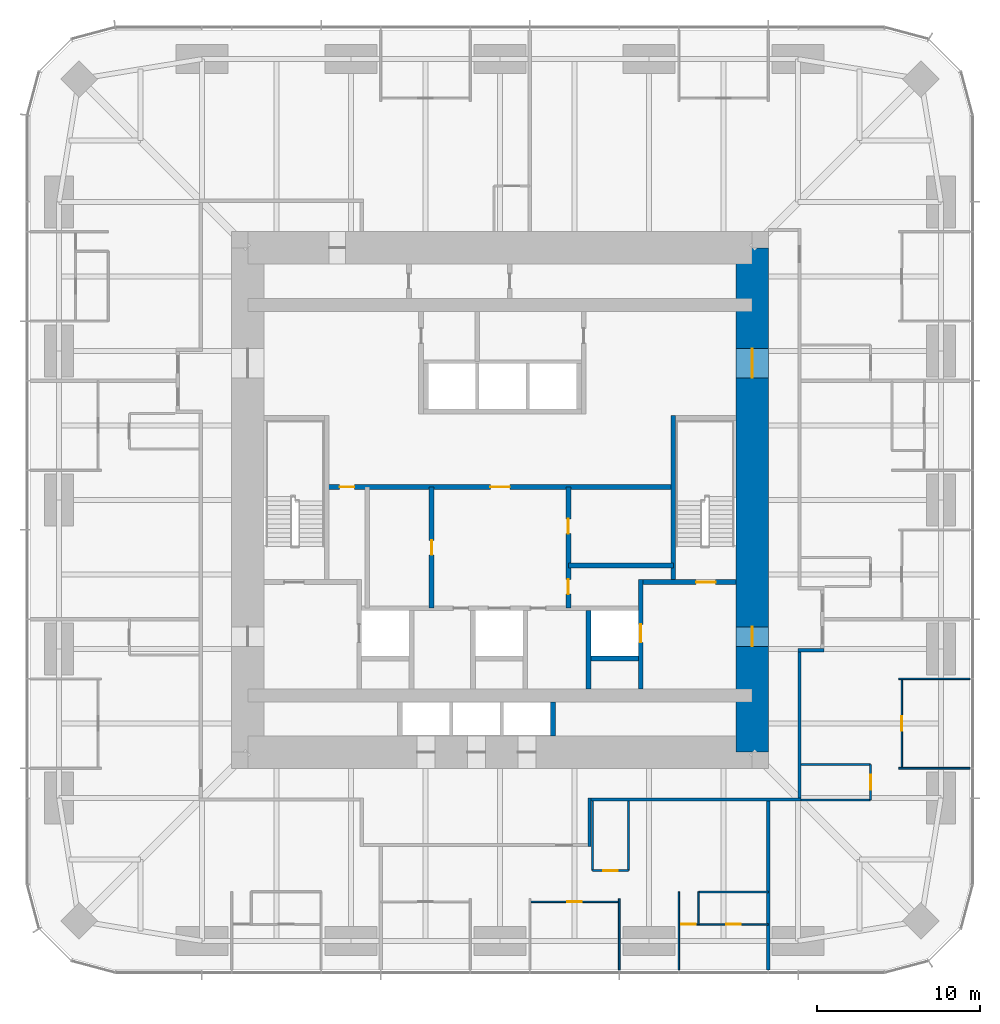
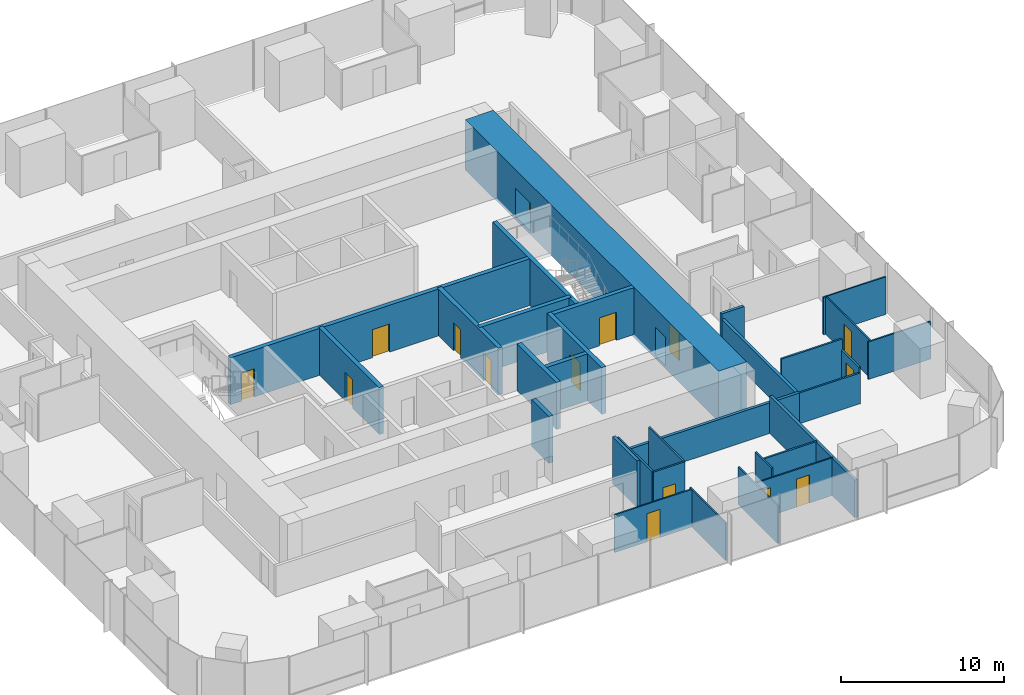
# One storey, part 10 of 13: 31 walls, 15 doors, 15 openings.
"""IFC4 building model written with IfcOpenShell, lengths in metres."""

from ifc_helpers import new_model, si_unit, direction, frame, frame_2d, origin, place, context, subcontext, project, spatial, rectangle, extrude, material, layer, layer_set, type_object, element, fill, save


model = new_model("IFC4")

# Units and contexts
model_context = context("Model", 3, precision=1e-05, world=origin(), true_north=direction((0.0, 1.0)))
body_context = subcontext(model_context, "Body", "Model", "MODEL_VIEW")
ifc_project = project(units=[si_unit("LENGTHUNIT", "METRE"), si_unit("AREAUNIT", "SQUARE_METRE"), si_unit("VOLUMEUNIT", "CUBIC_METRE"), si_unit("PLANEANGLEUNIT", "RADIAN"), si_unit("MASSUNIT", "GRAM", prefix="KILO")], contexts=[model_context])

# Site, building, storey
site_placement = place(None, origin())
site = spatial("IfcSite", under=ifc_project, at=site_placement, CompositionType="ELEMENT")
building_placement = place(site_placement, origin())
building = spatial("IfcBuilding", under=site, at=building_placement, Name="Khuree Lantern Residences", CompositionType="ELEMENT")
storey_placement = place(building_placement, frame((0.0, 0.0, 129.75)))
storey = spatial("IfcBuildingStorey", under=building, at=storey_placement, Name="L32", CompositionType="ELEMENT", Elevation=129.75)

# Wall
ifc_material_1 = material(Name="Moisture-resistant gypsum board on steel studs", Category="steel")
ifc_layer_1 = layer(ifc_material_1, 0.125)
ifc_layer_set_1 = layer_set([ifc_layer_1], Name="BATHROOM WALL BTW125")
wall_type_1 = type_object("IfcWallType", Name="BATHROOM WALL BTW125", PredefinedType="PARTITIONING", material=ifc_layer_set_1)
wall_1_placement = place(storey_placement, frame((12.19189453125, -24.079833984375, 0.0), z_axis=(0.0, 0.0, 1.0), x_axis=(1.0, 0.0, 0.0)))
element("IfcWall", 1, at=wall_1_placement, inside=storey, type_object=wall_type_1, Name="L32 BATHROOM WALL 06", PredefinedType="PARTITIONING", context=body_context, shape_type="SweptSolid", body=[
    extrude(rectangle(XDim=4.296142578125, YDim=0.125, at=frame_2d((2.14794921875, 0.0))), origin(), (0.0, 0.0, 1.0), 2.81005859375),
])

# Wall, opening, door
wall_2_placement = place(storey_placement, frame((5.68359375, -22.77978515625, 0.0), z_axis=(0.0, 0.0, 1.0), x_axis=(1.0, 0.0, 0.0)))
wall_2 = element("IfcWall", 2, at=wall_2_placement, inside=storey, type_object=wall_type_1, Name="L32 BATHROOM WALL 06", PredefinedType="PARTITIONING", context=body_context, shape_type="SweptSolid", body=[
    extrude(rectangle(XDim=2.199951171875, YDim=0.125, at=frame_2d((1.10009765625, 0.0))), origin(), (0.0, 0.0, 1.0), 3.5),
])
opening_1_placement = place(wall_2_placement, frame((0.64990234375, 0.0, 0.0)))
opening_1 = element("IfcOpeningElement", 3, at=opening_1_placement, cuts=wall_2, Name="Opening 32-051", PredefinedType="OPENING", context=body_context, shape_type="SweptSolid", body=[
    extrude(rectangle(XDim=0.89990234375, YDim=2.10009765625, at=frame_2d((0.449951171875, 1.050048828125))), frame((0.0, 0.072509765625, 0.0), z_axis=(0.0, -1.0, 0.0), x_axis=(1.0, 0.0, 0.0)), (0.0, 0.0, 1.0), 0.14501953125),
])
ifc_material_2 = material(Name="Timber door leaf in hardwood frame", Category="wood")
door_type_1 = type_object("IfcDoorType", Name="BATHROOM DOOR 900X2100", OperationType="SINGLE_SWING_LEFT", PredefinedType="DOOR", material=ifc_material_2)
door_1_placement = place(opening_1_placement, origin())
door_1 = element("IfcDoor", 4, at=door_1_placement, inside=storey, type_object=door_type_1, Name="Bathroom door 32-051", OperationType="SINGLE_SWING_LEFT", OverallHeight=2.10009765625, OverallWidth=0.89990234375, PredefinedType="DOOR", context=body_context, shape_type="SweptSolid", body=[
    extrude(rectangle(XDim=0.89990234375, YDim=2.10009765625, at=frame_2d((0.449951171875, 1.050048828125))), frame((0.0, 0.02490234375, 0.0), z_axis=(0.0, -1.0, 0.0), x_axis=(1.0, 0.0, 0.0)), (0.0, 0.0, 1.0), 0.050048828125),
])
fill(opening_1, door_1)

# Walls
for number, where, z_axis, x_axis, name in (
    (5, (5.68359375, -18.5, 0.0), (0.0, 0.0, 1.0), (0.0, -1.0, 0.0), "L32 BATHROOM WALL 06"),
    (6, (7.883544921875, -18.5, 0.0), (0.0, 0.0, 1.0), (0.0, -1.0, 0.0), "L32 BATHROOM WALL 06"),
):
    element("IfcWall", number, at=place(storey_placement, frame(where, z_axis=z_axis, x_axis=x_axis)), inside=storey, type_object=wall_type_1, Name=name, PredefinedType="PARTITIONING", context=body_context, shape_type="SweptSolid", body=[
        extrude(rectangle(XDim=4.27978515625, YDim=0.125, at=frame_2d((2.139892578125, 0.0))), origin(), (0.0, 0.0, 1.0), 3.5),
    ])

# Wall, opening, door
wall_3_placement = place(storey_placement, frame((22.77978515625, -18.449951171875, 0.0), z_axis=(0.0, 0.0, 1.0), x_axis=(0.0, 1.0, 0.0)))
wall_3 = element("IfcWall", 7, at=wall_3_placement, inside=storey, type_object=wall_type_1, Name="L32 BATHROOM WALL 07", PredefinedType="PARTITIONING", context=body_context, shape_type="SweptSolid", body=[
    extrude(rectangle(XDim=2.199951171875, YDim=0.125, at=frame_2d((1.10009765625, 0.0))), origin(), (0.0, 0.0, 1.0), 2.699951171875),
])
opening_2_placement = place(wall_3_placement, frame((0.64990234375, 0.0, 0.0)))
opening_2 = element("IfcOpeningElement", 8, at=opening_2_placement, cuts=wall_3, Name="Opening 32-054", PredefinedType="OPENING", context=body_context, shape_type="SweptSolid", body=[
    extrude(rectangle(XDim=0.89990234375, YDim=2.10009765625, at=frame_2d((0.449951171875, 1.050048828125))), frame((0.0, 0.072509765625, 0.0), z_axis=(0.0, -1.0, 0.0), x_axis=(1.0, 0.0, 0.0)), (0.0, 0.0, 1.0), 0.14501953125),
])
door_2_placement = place(opening_2_placement, origin())
door_2 = element("IfcDoor", 9, at=door_2_placement, inside=storey, type_object=door_type_1, Name="Bathroom door 32-054", OperationType="SINGLE_SWING_LEFT", OverallHeight=2.10009765625, OverallWidth=0.89990234375, PredefinedType="DOOR", context=body_context, shape_type="SweptSolid", body=[
    extrude(rectangle(XDim=0.89990234375, YDim=2.10009765625, at=frame_2d((0.449951171875, 1.050048828125))), frame((0.0, 0.02490234375, 0.0), z_axis=(0.0, -1.0, 0.0), x_axis=(1.0, 0.0, 0.0)), (0.0, 0.0, 1.0), 0.050048828125),
])
fill(opening_2, door_2)

# Walls
wall_4_placement = place(storey_placement, frame((18.5, -18.449951171875, 0.0), z_axis=(0.0, 0.0, 1.0), x_axis=(1.0, 0.0, 0.0)))
element("IfcWall", 10, at=wall_4_placement, inside=storey, type_object=wall_type_1, Name="L32 BATHROOM WALL 07", PredefinedType="PARTITIONING", context=body_context, shape_type="SweptSolid", body=[
    extrude(rectangle(XDim=4.27978515625, YDim=0.125, at=frame_2d((2.139892578125, 0.0))), origin(), (0.0, 0.0, 1.0), 2.300048828125),
])
wall_5_placement = place(storey_placement, frame((18.5, -16.25, 0.0), z_axis=(0.0, 0.0, 1.0), x_axis=(1.0, 0.0, 0.0)))
element("IfcWall", 11, at=wall_5_placement, inside=storey, type_object=wall_type_1, Name="L32 BATHROOM WALL 07", PredefinedType="PARTITIONING", context=body_context, shape_type="SweptSolid", body=[
    extrude(rectangle(XDim=4.27978515625, YDim=0.125, at=frame_2d((2.139892578125, 0.0))), origin(), (0.0, 0.0, 1.0), 3.5),
])

# Wall, opening, door
ifc_material_3 = material(Name="Dense concrete blockwork", Category="masonry")
ifc_layer_2 = layer(ifc_material_3, 0.300048828125)
ifc_layer_set_2 = layer_set([ifc_layer_2], Name="CORE PARTITION WALL CPW300 EI 120")
wall_type_2 = type_object("IfcWallType", Name="CORE PARTITION WALL CPW300 EI 120", PredefinedType="PARTITIONING", material=ifc_layer_set_2)
wall_6_placement = place(storey_placement, frame((8.64990234375, -11.60009765625, 0.0), z_axis=(0.0, 0.0, 1.0), x_axis=(0.0, 1.0, 0.0)))
wall_6 = element("IfcWall", 12, at=wall_6_placement, inside=storey, type_object=wall_type_2, Name="L32 CORE WALL FL2E", PredefinedType="PARTITIONING", context=body_context, shape_type="SweptSolid", body=[
    extrude(rectangle(XDim=6.7001953125, YDim=0.300048828125, at=frame_2d((3.35009765625, 0.0))), origin(), (0.0, 0.0, 1.0), 3.5),
])
opening_3_placement = place(wall_6_placement, frame((2.85009765625, 0.0, 0.0)))
opening_3 = element("IfcOpeningElement", 13, at=opening_3_placement, cuts=wall_6, Name="Opening 32-008", PredefinedType="OPENING", context=body_context, shape_type="SweptSolid", body=[
    extrude(rectangle(XDim=1.10009765625, YDim=2.10009765625, at=frame_2d((0.550048828125, 1.050048828125))), frame((0.0, 0.16015625, 0.0), z_axis=(0.0, -1.0, 0.0), x_axis=(1.0, 0.0, 0.0)), (0.0, 0.0, 1.0), 0.320068359375),
])
ifc_material_4 = material(Name="Stainless steel lift landing door", Category="steel")
door_type_2 = type_object("IfcDoorType", Name="LIFT LANDING DOOR 1100X2100 E 120", OperationType="DOUBLE_DOOR_SLIDING", PredefinedType="DOOR", material=ifc_material_4)
door_3_placement = place(opening_3_placement, origin())
door_3 = element("IfcDoor", 14, at=door_3_placement, inside=storey, type_object=door_type_2, Name="Landing door FL2 32-008", OperationType="DOUBLE_DOOR_SLIDING", OverallHeight=2.10009765625, OverallWidth=1.10009765625, PredefinedType="DOOR", context=body_context, shape_type="SweptSolid", body=[
    extrude(rectangle(XDim=1.10009765625, YDim=2.10009765625, at=frame_2d((0.550048828125, 1.050048828125))), frame((0.0, 0.02490234375, 0.0), z_axis=(0.0, -1.0, 0.0), x_axis=(1.0, 0.0, 0.0)), (0.0, 0.0, 1.0), 0.050048828125),
])
fill(opening_3, door_3)

# Walls
wall_7_placement = place(storey_placement, frame((5.449951171875, -11.60009765625, 0.0), z_axis=(0.0, 0.0, 1.0), x_axis=(0.0, 1.0, 0.0)))
element("IfcWall", 15, at=wall_7_placement, inside=storey, type_object=wall_type_2, Name="L32 CORE WALL FL2W", PredefinedType="PARTITIONING", context=body_context, shape_type="SweptSolid", body=[
    extrude(rectangle(XDim=4.800048828125, YDim=0.300048828125, at=frame_2d((2.39990234375, 0.0))), origin(), (0.0, 0.0, 1.0), 3.5),
])
wall_8_placement = place(storey_placement, frame((5.60009765625, -9.75, 0.0), z_axis=(0.0, 0.0, 1.0), x_axis=(1.0, 0.0, 0.0)))
element("IfcWall", 16, at=wall_8_placement, inside=storey, type_object=wall_type_2, Name="L32 CORE WALL FL2S", PredefinedType="PARTITIONING", context=body_context, shape_type="SweptSolid", body=[
    extrude(rectangle(XDim=2.89990234375, YDim=0.300048828125, at=frame_2d((1.449951171875, 0.0))), origin(), (0.0, 0.0, 1.0), 3.5),
])
wall_9_placement = place(storey_placement, frame((3.25, -14.5, 0.0), z_axis=(0.0, 0.0, 1.0), x_axis=(0.0, 1.0, 0.0)))
element("IfcWall", 17, at=wall_9_placement, inside=storey, type_object=wall_type_2, Name="L32 CORE WALL PME", PredefinedType="PARTITIONING", context=body_context, shape_type="SweptSolid", body=[
    extrude(rectangle(XDim=2.10009765625, YDim=0.300048828125, at=frame_2d((1.050048828125, 0.0))), origin(), (0.0, 0.0, 1.0), 3.5),
])

# Wall, openings, doors
wall_10_placement = place(storey_placement, frame((-10.64990234375, 0.800048828125, 0.0), z_axis=(0.0, 0.0, 1.0), x_axis=(1.0, 0.0, 0.0)))
wall_10 = element("IfcWall", 18, at=wall_10_placement, inside=storey, type_object=wall_type_2, Name="L32 CORE WALL LLS", PredefinedType="PARTITIONING", context=body_context, shape_type="SweptSolid", body=[
    extrude(rectangle(XDim=21.2998046875, YDim=0.300048828125, at=frame_2d((10.64990234375, 0.0))), origin(), (0.0, 0.0, 1.0), 3.5),
])
opening_4_placement = place(wall_10_placement, frame((10.050048828125, 0.0, 0.0)))
opening_4 = element("IfcOpeningElement", 19, at=opening_4_placement, cuts=wall_10, Name="Opening 32-013", PredefinedType="OPENING", context=body_context, shape_type="SweptSolid", body=[
    extrude(rectangle(XDim=1.199951171875, YDim=2.10009765625, at=frame_2d((0.60009765625, 1.050048828125))), frame((0.0, 0.16015625, 0.0), z_axis=(0.0, -1.0, 0.0), x_axis=(1.0, 0.0, 0.0)), (0.0, 0.0, 1.0), 0.320068359375),
])
opening_5_placement = place(wall_10_placement, frame((0.79296875, 0.0, 0.0)))
opening_5 = element("IfcOpeningElement", 20, at=opening_5_placement, cuts=wall_10, Name="Opening 32-017", PredefinedType="OPENING", context=body_context, shape_type="SweptSolid", body=[
    extrude(rectangle(XDim=0.89990234375, YDim=2.10009765625, at=frame_2d((0.449951171875, 1.050048828125))), frame((0.0, 0.16015625, 0.0), z_axis=(0.0, -1.0, 0.0), x_axis=(1.0, 0.0, 0.0)), (0.0, 0.0, 1.0), 0.320068359375),
])
ifc_material_5 = material(Name="Steel door leaf in steel frame", Category="steel")
door_type_3 = type_object("IfcDoorType", Name="DOOR 1200X2100 EI 60", OperationType="SINGLE_SWING_LEFT", PredefinedType="DOOR", material=ifc_material_5)
door_4_placement = place(opening_4_placement, origin())
door_4 = element("IfcDoor", 21, at=door_4_placement, inside=storey, type_object=door_type_3, Name="Service lift lobby door 32-013", OperationType="SINGLE_SWING_LEFT", OverallHeight=2.10009765625, OverallWidth=1.199951171875, PredefinedType="DOOR", context=body_context, shape_type="SweptSolid", body=[
    extrude(rectangle(XDim=1.199951171875, YDim=2.10009765625, at=frame_2d((0.60009765625, 1.050048828125))), frame((0.0, 0.02490234375, 0.0), z_axis=(0.0, -1.0, 0.0), x_axis=(1.0, 0.0, 0.0)), (0.0, 0.0, 1.0), 0.050048828125),
])
fill(opening_4, door_4)
door_type_4 = type_object("IfcDoorType", Name="DOOR 900X2100", OperationType="SINGLE_SWING_LEFT", PredefinedType="DOOR", material=ifc_material_2)
door_5_placement = place(opening_5_placement, origin())
door_5 = element("IfcDoor", 22, at=door_5_placement, inside=storey, type_object=door_type_4, Name="Housekeeping store door 32-017", OperationType="SINGLE_SWING_LEFT", OverallHeight=2.10009765625, OverallWidth=0.89990234375, PredefinedType="DOOR", context=body_context, shape_type="SweptSolid", body=[
    extrude(rectangle(XDim=0.89990234375, YDim=2.10009765625, at=frame_2d((0.449951171875, 1.050048828125))), frame((0.0, 0.02490234375, 0.0), z_axis=(0.0, -1.0, 0.0), x_axis=(1.0, 0.0, 0.0)), (0.0, 0.0, 1.0), 0.050048828125),
])
fill(opening_5, door_5)

# Wall, opening, door
wall_11_placement = place(storey_placement, frame((-4.199951171875, -6.64990234375, 0.0), z_axis=(0.0, 0.0, 1.0), x_axis=(0.0, 1.0, 0.0)))
wall_11 = element("IfcWall", 23, at=wall_11_placement, inside=storey, type_object=wall_type_2, Name="L32 CORE WALL SVW", PredefinedType="PARTITIONING", context=body_context, shape_type="SweptSolid", body=[
    extrude(rectangle(XDim=7.449951171875, YDim=0.300048828125, at=frame_2d((3.72509765625, 0.0))), origin(), (0.0, 0.0, 1.0), 3.5),
])
opening_6_placement = place(wall_11_placement, frame((3.27490234375, 0.0, 0.0)))
opening_6 = element("IfcOpeningElement", 24, at=opening_6_placement, cuts=wall_11, Name="Opening 32-016", PredefinedType="OPENING", context=body_context, shape_type="SweptSolid", body=[
    extrude(rectangle(XDim=0.89990234375, YDim=2.10009765625, at=frame_2d((0.449951171875, 1.050048828125))), frame((0.0, 0.16015625, 0.0), z_axis=(0.0, -1.0, 0.0), x_axis=(1.0, 0.0, 0.0)), (0.0, 0.0, 1.0), 0.320068359375),
])
door_6_placement = place(opening_6_placement, origin())
door_6 = element("IfcDoor", 25, at=door_6_placement, inside=storey, type_object=door_type_4, Name="Residents' store door 32-016", OperationType="SINGLE_SWING_LEFT", OverallHeight=2.10009765625, OverallWidth=0.89990234375, PredefinedType="DOOR", context=body_context, shape_type="SweptSolid", body=[
    extrude(rectangle(XDim=0.89990234375, YDim=2.10009765625, at=frame_2d((0.449951171875, 1.050048828125))), frame((0.0, 0.02490234375, 0.0), z_axis=(0.0, -1.0, 0.0), x_axis=(1.0, 0.0, 0.0)), (0.0, 0.0, 1.0), 0.050048828125),
])
fill(opening_6, door_6)

# Wall, openings, doors
wall_12_placement = place(storey_placement, frame((4.199951171875, -6.64990234375, 0.0), z_axis=(0.0, 0.0, 1.0), x_axis=(0.0, 1.0, 0.0)))
wall_12 = element("IfcWall", 26, at=wall_12_placement, inside=storey, type_object=wall_type_2, Name="L32 CORE WALL SVE", PredefinedType="PARTITIONING", context=body_context, shape_type="SweptSolid", body=[
    extrude(rectangle(XDim=7.449951171875, YDim=0.300048828125, at=frame_2d((3.72509765625, 0.0))), origin(), (0.0, 0.0, 1.0), 3.5),
])
opening_7_placement = place(wall_12_placement, frame((0.865966796875, 0.0, 0.0)))
opening_7 = element("IfcOpeningElement", 27, at=opening_7_placement, cuts=wall_12, Name="Opening 32-018", PredefinedType="OPENING", context=body_context, shape_type="SweptSolid", body=[
    extrude(rectangle(XDim=0.89990234375, YDim=2.10009765625, at=frame_2d((0.449951171875, 1.050048828125))), frame((0.0, 0.16015625, 0.0), z_axis=(0.0, -1.0, 0.0), x_axis=(1.0, 0.0, 0.0)), (0.0, 0.0, 1.0), 0.320068359375),
])
opening_8_placement = place(wall_12_placement, frame((4.591064453125, 0.0, 0.0)))
opening_8 = element("IfcOpeningElement", 28, at=opening_8_placement, cuts=wall_12, Name="Opening 32-019", PredefinedType="OPENING", context=body_context, shape_type="SweptSolid", body=[
    extrude(rectangle(XDim=0.89990234375, YDim=2.10009765625, at=frame_2d((0.449951171875, 1.050048828125))), frame((0.0, 0.16015625, 0.0), z_axis=(0.0, -1.0, 0.0), x_axis=(1.0, 0.0, 0.0)), (0.0, 0.0, 1.0), 0.320068359375),
])
door_7_placement = place(opening_7_placement, origin())
door_7 = element("IfcDoor", 29, at=door_7_placement, inside=storey, type_object=door_type_4, Name="Housekeeping store door 32-018", OperationType="SINGLE_SWING_LEFT", OverallHeight=2.10009765625, OverallWidth=0.89990234375, PredefinedType="DOOR", context=body_context, shape_type="SweptSolid", body=[
    extrude(rectangle(XDim=0.89990234375, YDim=2.10009765625, at=frame_2d((0.449951171875, 1.050048828125))), frame((0.0, 0.02490234375, 0.0), z_axis=(0.0, -1.0, 0.0), x_axis=(1.0, 0.0, 0.0)), (0.0, 0.0, 1.0), 0.050048828125),
])
fill(opening_7, door_7)
door_type_5 = type_object("IfcDoorType", Name="DOOR 900X2100 RIGHT HAND", OperationType="SINGLE_SWING_RIGHT", PredefinedType="DOOR", material=ifc_material_2)
door_8_placement = place(opening_8_placement, origin())
door_8 = element("IfcDoor", 30, at=door_8_placement, inside=storey, type_object=door_type_5, Name="Residents' store door 32-019", OperationType="SINGLE_SWING_RIGHT", OverallHeight=2.10009765625, OverallWidth=0.89990234375, PredefinedType="DOOR", context=body_context, shape_type="SweptSolid", body=[
    extrude(rectangle(XDim=0.89990234375, YDim=2.10009765625, at=frame_2d((0.449951171875, 1.050048828125))), frame((0.0, 0.02490234375, 0.0), z_axis=(0.0, -1.0, 0.0), x_axis=(1.0, 0.0, 0.0)), (0.0, 0.0, 1.0), 0.050048828125),
])
fill(opening_8, door_8)

# Walls
wall_13_placement = place(storey_placement, frame((10.64990234375, -4.01806640625, 0.0), z_axis=(0.0, 0.0, 1.0), x_axis=(-1.0, 0.0, 0.0)))
element("IfcWall", 31, at=wall_13_placement, inside=storey, type_object=wall_type_2, Name="L32 CORE WALL EX", PredefinedType="PARTITIONING", context=body_context, shape_type="SweptSolid", body=[
    extrude(rectangle(XDim=6.449951171875, YDim=0.300048828125, at=frame_2d((3.22509765625, 0.0))), origin(), (0.0, 0.0, 1.0), 3.5),
])
ifc_material_6 = material(Name="Gypsum board on steel studs", Category="steel")
ifc_layer_3 = layer(ifc_material_6, 0.199951171875)
ifc_layer_set_3 = layer_set([ifc_layer_3], Name="CORRIDOR WALL CRW200 EI 60")
wall_type_3 = type_object("IfcWallType", Name="CORRIDOR WALL CRW200 EI 60", PredefinedType="PARTITIONING", material=ifc_layer_set_3)
wall_14_placement = place(storey_placement, frame((18.39990234375, -18.300048828125, 0.0), z_axis=(0.0, 0.0, 1.0), x_axis=(0.0, 1.0, 0.0)))
element("IfcWall", 32, at=wall_14_placement, inside=storey, type_object=wall_type_3, Name="L32 CORRIDOR WALL EAST 1", PredefinedType="PARTITIONING", context=body_context, shape_type="SweptSolid", body=[
    extrude(rectangle(XDim=8.97216796875, YDim=0.199951171875, at=frame_2d((4.486083984375, 0.0))), origin(), (0.0, 0.0, 1.0), 2.300048828125),
])
wall_15_placement = place(storey_placement, frame((18.300048828125, -9.22802734375, 0.0), z_axis=(0.0, 0.0, 1.0), x_axis=(1.0, 0.0, 0.0)))
element("IfcWall", 33, at=wall_15_placement, inside=storey, type_object=wall_type_3, Name="L32 CORRIDOR ALCOVE WALL EAST", PredefinedType="PARTITIONING", context=body_context, shape_type="SweptSolid", body=[
    extrude(rectangle(XDim=1.599853515625, YDim=0.199951171875, at=frame_2d((0.7998046875, 0.0))), origin(), (0.0, 0.0, 1.0), 2.699951171875),
])
wall_16_placement = place(storey_placement, frame((18.5, -18.39990234375, 0.0), z_axis=(0.0, 0.0, 1.0), x_axis=(-1.0, 0.0, 0.0)))
element("IfcWall", 34, at=wall_16_placement, inside=storey, type_object=wall_type_3, Name="L32 CORRIDOR WALL SOUTH 1", PredefinedType="PARTITIONING", context=body_context, shape_type="SweptSolid", body=[
    extrude(rectangle(XDim=12.89990234375, YDim=0.199951171875, at=frame_2d((6.449951171875, 0.0))), origin(), (0.0, 0.0, 1.0), 2.300048828125),
])
wall_17_placement = place(storey_placement, frame((5.5, -18.300048828125, 0.0), z_axis=(0.0, 0.0, 1.0), x_axis=(0.0, -1.0, 0.0)))
element("IfcWall", 35, at=wall_17_placement, inside=storey, type_object=wall_type_3, Name="L32 LIFT LOBBY WALL", PredefinedType="PARTITIONING", context=body_context, shape_type="SweptSolid", body=[
    extrude(rectangle(XDim=3.0, YDim=0.199951171875, at=frame_2d((1.5, 0.0))), origin(), (0.0, 0.0, 1.0), 3.5),
])

# Wall, openings, doors
ifc_material_7 = material(Name="Concrete C70/85", Category="concrete")
ifc_layer_4 = layer(ifc_material_7, 2.0)
ifc_layer_set_4 = layer_set([ifc_layer_4], Name="CW2000-C70 CORE WALL C70 2000")
wall_type_4 = type_object("IfcWallType", Name="CW2000-C70 CORE WALL C70 2000", PredefinedType="SHEAR", material=ifc_layer_set_4)
wall_18_placement = place(storey_placement, frame((15.5, -15.5, -0.25), z_axis=(0.0, 0.0, 1.0), x_axis=(0.0, 1.0, 0.0)))
wall_18 = element("IfcWall", 36, at=wall_18_placement, inside=storey, type_object=wall_type_4, Name="Core wall E", PredefinedType="SHEAR", context=body_context, shape_type="SweptSolid", body=[
    extrude(rectangle(XDim=31.0, YDim=2.0, at=frame_2d((15.5, 0.0))), origin(), (0.0, 0.0, 1.0), 3.75),
])
opening_9_placement = place(wall_18_placement, frame((6.5, 0.0, 0.25)))
opening_9 = element("IfcOpeningElement", 37, at=opening_9_placement, cuts=wall_18, Name="Opening 32-005", PredefinedType="OPENING", context=body_context, shape_type="SweptSolid", body=[
    extrude(rectangle(XDim=1.199951171875, YDim=2.10009765625, at=frame_2d((0.60009765625, 1.050048828125))), frame((0.0, 1.010009765625, 0.0), z_axis=(0.0, -1.0, 0.0), x_axis=(1.0, 0.0, 0.0)), (0.0, 0.0, 1.0), 2.02001953125),
])
opening_10_placement = place(wall_18_placement, frame((23.0, 0.0, 0.25)))
opening_10 = element("IfcOpeningElement", 38, at=opening_10_placement, cuts=wall_18, Name="Opening 32-006", PredefinedType="OPENING", context=body_context, shape_type="SweptSolid", body=[
    extrude(rectangle(XDim=1.800048828125, YDim=2.10009765625, at=frame_2d((0.89990234375, 1.050048828125))), frame((0.0, 1.010009765625, 0.0), z_axis=(0.0, -1.0, 0.0), x_axis=(1.0, 0.0, 0.0)), (0.0, 0.0, 1.0), 2.02001953125),
])
door_type_6 = type_object("IfcDoorType", Name="LOBBY DOOR 1200X2100 EI 120", OperationType="SINGLE_SWING_LEFT", PredefinedType="DOOR", material=ifc_material_5)
door_9_placement = place(opening_9_placement, origin())
door_9 = element("IfcDoor", 39, at=door_9_placement, inside=storey, type_object=door_type_6, Name="Firefighting lobby door 32-005", OperationType="SINGLE_SWING_LEFT", OverallHeight=2.10009765625, OverallWidth=1.199951171875, PredefinedType="DOOR", context=body_context, shape_type="SweptSolid", body=[
    extrude(rectangle(XDim=1.199951171875, YDim=2.10009765625, at=frame_2d((0.60009765625, 1.050048828125))), frame((0.0, 0.02490234375, 0.0), z_axis=(0.0, -1.0, 0.0), x_axis=(1.0, 0.0, 0.0)), (0.0, 0.0, 1.0), 0.050048828125),
])
fill(opening_9, door_9)
door_type_7 = type_object("IfcDoorType", Name="LOBBY DOUBLE DOOR 1800X2100 EI 60", OperationType="DOUBLE_DOOR_SINGLE_SWING", PredefinedType="DOOR", material=ifc_material_5)
door_10_placement = place(opening_10_placement, origin())
door_10 = element("IfcDoor", 40, at=door_10_placement, inside=storey, type_object=door_type_7, Name="Lift lobby door 32-006", OperationType="DOUBLE_DOOR_SINGLE_SWING", OverallHeight=2.10009765625, OverallWidth=1.800048828125, PredefinedType="DOOR", context=body_context, shape_type="SweptSolid", body=[
    extrude(rectangle(XDim=1.800048828125, YDim=2.10009765625, at=frame_2d((0.89990234375, 1.050048828125))), frame((0.0, 0.02490234375, 0.0), z_axis=(0.0, -1.0, 0.0), x_axis=(1.0, 0.0, 0.0)), (0.0, 0.0, 1.0), 0.050048828125),
])
fill(opening_10, door_10)

# Walls
ifc_layer_5 = layer(ifc_material_6, 0.199951171875)
ifc_layer_set_5 = layer_set([ifc_layer_5], Name="DEMISING WALL DMW200 EI 90")
wall_type_5 = type_object("IfcWallType", Name="DEMISING WALL DMW200 EI 90", PredefinedType="PARTITIONING", material=ifc_layer_set_5)
wall_19_placement = place(storey_placement, frame((16.488037109375, -18.5, 0.0), z_axis=(0.0, 0.0, 1.0), x_axis=(0.0, -1.0, 0.0)))
element("IfcWall", 41, at=wall_19_placement, inside=storey, type_object=wall_type_5, Name="L32 DEMISING WALL 07", PredefinedType="PARTITIONING", context=body_context, shape_type="SweptSolid", body=[
    extrude(rectangle(XDim=10.39990234375, YDim=0.199951171875, at=frame_2d((5.199951171875, 0.0))), origin(), (0.0, 0.0, 1.0), 2.81005859375),
])
ifc_layer_6 = layer(ifc_material_6, 0.10009765625)
ifc_layer_set_6 = layer_set([ifc_layer_6], Name="PARTITION PT100")
wall_type_6 = type_object("IfcWallType", Name="PARTITION PT100", PredefinedType="PARTITIONING", material=ifc_layer_set_6)
wall_20_placement = place(storey_placement, frame((7.327880859375, -24.5, 0.0), z_axis=(0.0, 0.0, 1.0), x_axis=(0.0, -1.0, 0.0)))
element("IfcWall", 42, at=wall_20_placement, inside=storey, type_object=wall_type_6, Name="L32 PARTITION 06", PredefinedType="PARTITIONING", context=body_context, shape_type="SweptSolid", body=[
    extrude(rectangle(XDim=4.39990234375, YDim=0.10009765625, at=frame_2d((2.199951171875, 0.0))), origin(), (0.0, 0.0, 1.0), 2.81005859375),
])
wall_21_placement = place(storey_placement, frame((10.991943359375, -24.079833984375, 0.0), z_axis=(0.0, 0.0, 1.0), x_axis=(0.0, -1.0, 0.0)))
element("IfcWall", 43, at=wall_21_placement, inside=storey, type_object=wall_type_6, Name="L32 PARTITION 06", PredefinedType="PARTITIONING", context=body_context, shape_type="SweptSolid", body=[
    extrude(rectangle(XDim=4.820068359375, YDim=0.10009765625, at=frame_2d((2.41015625, 0.0))), origin(), (0.0, 0.0, 1.0), 2.81005859375),
])
for number, where, z_axis, x_axis, name in (
    (44, (24.5, -16.488037109375, 0.0), (0.0, 0.0, 1.0), (1.0, 0.0, 0.0), "L32 PARTITION 07"),
    (45, (24.5, -10.991943359375, 0.0), (0.0, 0.0, 1.0), (1.0, 0.0, 0.0), "L32 PARTITION 07"),
):
    element("IfcWall", number, at=place(storey_placement, frame(where, z_axis=z_axis, x_axis=x_axis)), inside=storey, type_object=wall_type_6, Name=name, PredefinedType="PARTITIONING", context=body_context, shape_type="SweptSolid", body=[
        extrude(rectangle(XDim=4.39990234375, YDim=0.10009765625, at=frame_2d((2.199951171875, 0.0))), origin(), (0.0, 0.0, 1.0), 2.81005859375),
    ])

# Wall, opening, door
wall_22_placement = place(storey_placement, frame((1.83203125, -24.699951171875, 0.0), z_axis=(0.0, 0.0, 1.0), x_axis=(1.0, 0.0, 0.0)))
wall_22 = element("IfcWall", 46, at=wall_22_placement, inside=storey, type_object=wall_type_6, Name="L32 PARTITION 06", PredefinedType="PARTITIONING", context=body_context, shape_type="SweptSolid", body=[
    extrude(rectangle(XDim=5.495849609375, YDim=0.10009765625, at=frame_2d((2.748046875, 0.0))), origin(), (0.0, 0.0, 1.0), 2.81005859375),
])
opening_11_placement = place(wall_22_placement, frame((2.298095703125, 0.0, 0.0)))
opening_11 = element("IfcOpeningElement", 47, at=opening_11_placement, cuts=wall_22, Name="Opening 32-048", PredefinedType="OPENING", context=body_context, shape_type="SweptSolid", body=[
    extrude(rectangle(XDim=0.89990234375, YDim=2.10009765625, at=frame_2d((0.449951171875, 1.050048828125))), frame((0.0, 0.06005859375, 0.0), z_axis=(0.0, -1.0, 0.0), x_axis=(1.0, 0.0, 0.0)), (0.0, 0.0, 1.0), 0.1201171875),
])
door_type_8 = type_object("IfcDoorType", Name="BEDROOM DOOR 900X2100", OperationType="SINGLE_SWING_LEFT", PredefinedType="DOOR", material=ifc_material_2)
door_11_placement = place(opening_11_placement, origin())
door_11 = element("IfcDoor", 48, at=door_11_placement, inside=storey, type_object=door_type_8, Name="Bedroom door 32-048", OperationType="SINGLE_SWING_LEFT", OverallHeight=2.10009765625, OverallWidth=0.89990234375, PredefinedType="DOOR", context=body_context, shape_type="SweptSolid", body=[
    extrude(rectangle(XDim=0.89990234375, YDim=2.10009765625, at=frame_2d((0.449951171875, 1.050048828125))), frame((0.0, 0.02490234375, 0.0), z_axis=(0.0, -1.0, 0.0), x_axis=(1.0, 0.0, 0.0)), (0.0, 0.0, 1.0), 0.050048828125),
])
fill(opening_11, door_11)

# Wall, openings, doors
wall_23_placement = place(storey_placement, frame((10.991943359375, -26.079833984375, 0.0), z_axis=(0.0, 0.0, 1.0), x_axis=(1.0, 0.0, 0.0)))
wall_23 = element("IfcWall", 49, at=wall_23_placement, inside=storey, type_object=wall_type_6, Name="L32 PARTITION 06", PredefinedType="PARTITIONING", context=body_context, shape_type="SweptSolid", body=[
    extrude(rectangle(XDim=5.49609375, YDim=0.10009765625, at=frame_2d((2.748046875, 0.0))), origin(), (0.0, 0.0, 1.0), 2.81005859375),
])
opening_12_placement = place(wall_23_placement, frame((0.14990234375, 0.0, 0.0)))
opening_12 = element("IfcOpeningElement", 50, at=opening_12_placement, cuts=wall_23, Name="Opening 32-049", PredefinedType="OPENING", context=body_context, shape_type="SweptSolid", body=[
    extrude(rectangle(XDim=0.89990234375, YDim=2.10009765625, at=frame_2d((0.449951171875, 1.050048828125))), frame((0.0, 0.06005859375, 0.0), z_axis=(0.0, -1.0, 0.0), x_axis=(1.0, 0.0, 0.0)), (0.0, 0.0, 1.0), 0.1201171875),
])
opening_13_placement = place(wall_23_placement, frame((2.89794921875, 0.0, 0.0)))
opening_13 = element("IfcOpeningElement", 51, at=opening_13_placement, cuts=wall_23, Name="Opening 32-050", PredefinedType="OPENING", context=body_context, shape_type="SweptSolid", body=[
    extrude(rectangle(XDim=0.89990234375, YDim=2.10009765625, at=frame_2d((0.449951171875, 1.050048828125))), frame((0.0, 0.06005859375, 0.0), z_axis=(0.0, -1.0, 0.0), x_axis=(1.0, 0.0, 0.0)), (0.0, 0.0, 1.0), 0.1201171875),
])
door_type_9 = type_object("IfcDoorType", Name="BATHROOM DOOR 900X2100 RIGHT HAND", OperationType="SINGLE_SWING_RIGHT", PredefinedType="DOOR", material=ifc_material_2)
door_12_placement = place(opening_13_placement, origin())
door_12 = element("IfcDoor", 52, at=door_12_placement, inside=storey, type_object=door_type_9, Name="Bathroom door 32-050", OperationType="SINGLE_SWING_RIGHT", OverallHeight=2.10009765625, OverallWidth=0.89990234375, PredefinedType="DOOR", context=body_context, shape_type="SweptSolid", body=[
    extrude(rectangle(XDim=0.89990234375, YDim=2.10009765625, at=frame_2d((0.449951171875, 1.050048828125))), frame((0.0, 0.02490234375, 0.0), z_axis=(0.0, -1.0, 0.0), x_axis=(1.0, 0.0, 0.0)), (0.0, 0.0, 1.0), 0.050048828125),
])
fill(opening_13, door_12)
door_13_placement = place(opening_12_placement, origin())
door_13 = element("IfcDoor", 53, at=door_13_placement, inside=storey, type_object=door_type_8, Name="Bedroom door 32-049", OperationType="SINGLE_SWING_LEFT", OverallHeight=2.10009765625, OverallWidth=0.89990234375, PredefinedType="DOOR", context=body_context, shape_type="SweptSolid", body=[
    extrude(rectangle(XDim=0.89990234375, YDim=2.10009765625, at=frame_2d((0.449951171875, 1.050048828125))), frame((0.0, 0.02490234375, 0.0), z_axis=(0.0, -1.0, 0.0), x_axis=(1.0, 0.0, 0.0)), (0.0, 0.0, 1.0), 0.050048828125),
])
fill(opening_12, door_13)

# Wall
wall_24_placement = place(storey_placement, frame((12.19189453125, -24.079833984375, 0.0), z_axis=(0.0, 0.0, 1.0), x_axis=(0.0, -1.0, 0.0)))
element("IfcWall", 54, at=wall_24_placement, inside=storey, type_object=wall_type_6, Name="L32 PARTITION 06", PredefinedType="PARTITIONING", context=body_context, shape_type="SweptSolid", body=[
    extrude(rectangle(XDim=2.0, YDim=0.10009765625, at=frame_2d((1.0, 0.0))), origin(), (0.0, 0.0, 1.0), 3.5),
])

# Wall, opening, door
wall_25_placement = place(storey_placement, frame((24.699951171875, -16.488037109375, 0.0), z_axis=(0.0, 0.0, 1.0), x_axis=(0.0, 1.0, 0.0)))
wall_25 = element("IfcWall", 55, at=wall_25_placement, inside=storey, type_object=wall_type_6, Name="L32 PARTITION 07", PredefinedType="PARTITIONING", context=body_context, shape_type="SweptSolid", body=[
    extrude(rectangle(XDim=5.49609375, YDim=0.10009765625, at=frame_2d((2.748046875, 0.0))), origin(), (0.0, 0.0, 1.0), 2.81005859375),
])
opening_14_placement = place(wall_25_placement, frame((2.298095703125, 0.0, 0.0)))
opening_14 = element("IfcOpeningElement", 56, at=opening_14_placement, cuts=wall_25, Name="Opening 32-053", PredefinedType="OPENING", context=body_context, shape_type="SweptSolid", body=[
    extrude(rectangle(XDim=0.89990234375, YDim=2.10009765625, at=frame_2d((0.449951171875, 1.050048828125))), frame((0.0, 0.06005859375, 0.0), z_axis=(0.0, -1.0, 0.0), x_axis=(1.0, 0.0, 0.0)), (0.0, 0.0, 1.0), 0.1201171875),
])
door_14_placement = place(opening_14_placement, origin())
door_14 = element("IfcDoor", 57, at=door_14_placement, inside=storey, type_object=door_type_8, Name="Bedroom door 32-053", OperationType="SINGLE_SWING_LEFT", OverallHeight=2.10009765625, OverallWidth=0.89990234375, PredefinedType="DOOR", context=body_context, shape_type="SweptSolid", body=[
    extrude(rectangle(XDim=0.89990234375, YDim=2.10009765625, at=frame_2d((0.449951171875, 1.050048828125))), frame((0.0, 0.02490234375, 0.0), z_axis=(0.0, -1.0, 0.0), x_axis=(1.0, 0.0, 0.0)), (0.0, 0.0, 1.0), 0.050048828125),
])
fill(opening_14, door_14)

# Wall
ifc_material_8 = material(Name="Concrete C50/60", Category="concrete")
ifc_layer_7 = layer(ifc_material_8, 0.300048828125)
ifc_layer_set_7 = layer_set([ifc_layer_7], Name="STAIR WALL SRW300 C50/60 REI 240")
wall_type_7 = type_object("IfcWallType", Name="STAIR WALL SRW300 C50/60 REI 240", PredefinedType="SOLIDWALL", material=ifc_layer_set_7)
wall_26_placement = place(storey_placement, frame((10.64990234375, -4.89990234375, 0.0), z_axis=(0.0, 0.0, 1.0), x_axis=(0.0, 1.0, 0.0)))
element("IfcWall", 58, at=wall_26_placement, inside=storey, type_object=wall_type_7, Name="L32 STAIR WALL ST2E", PredefinedType="SOLIDWALL", context=body_context, shape_type="SweptSolid", body=[
    extrude(rectangle(XDim=10.099853515625, YDim=0.300048828125, at=frame_2d((5.0498046875, 0.0))), origin(), (0.0, 0.0, 1.0), 3.5),
])

# Wall, opening, door
wall_27_placement = place(storey_placement, frame((14.5, -5.050048828125, 0.0), z_axis=(0.0, 0.0, 1.0), x_axis=(-1.0, 0.0, 0.0)))
wall_27 = element("IfcWall", 59, at=wall_27_placement, inside=storey, type_object=wall_type_7, Name="L32 STAIR WALL ST2S", PredefinedType="SOLIDWALL", context=body_context, shape_type="SweptSolid", body=[
    extrude(rectangle(XDim=5.699951171875, YDim=0.300048828125, at=frame_2d((2.85009765625, 0.0))), origin(), (0.0, 0.0, 1.0), 3.5),
])
opening_15_placement = place(wall_27_placement, frame((1.25, 0.0, 0.0)))
opening_15 = element("IfcOpeningElement", 60, at=opening_15_placement, cuts=wall_27, Name="Opening 32-004", PredefinedType="OPENING", context=body_context, shape_type="SweptSolid", body=[
    extrude(rectangle(XDim=1.199951171875, YDim=2.10009765625, at=frame_2d((0.60009765625, 1.050048828125))), frame((0.0, 0.16015625, 0.0), z_axis=(0.0, -1.0, 0.0), x_axis=(1.0, 0.0, 0.0)), (0.0, 0.0, 1.0), 0.320068359375),
])
door_type_10 = type_object("IfcDoorType", Name="STAIR DOOR 1200X2100 EI 120", OperationType="SINGLE_SWING_LEFT", PredefinedType="DOOR", material=ifc_material_5)
door_15_placement = place(opening_15_placement, origin())
door_15 = element("IfcDoor", 61, at=door_15_placement, inside=storey, type_object=door_type_10, Name="Stair ST2 door 32-004", OperationType="SINGLE_SWING_LEFT", OverallHeight=2.10009765625, OverallWidth=1.199951171875, PredefinedType="DOOR", context=body_context, shape_type="SweptSolid", body=[
    extrude(rectangle(XDim=1.199951171875, YDim=2.10009765625, at=frame_2d((0.60009765625, 1.050048828125))), frame((0.0, 0.02490234375, 0.0), z_axis=(0.0, -1.0, 0.0), x_axis=(1.0, 0.0, 0.0)), (0.0, 0.0, 1.0), 0.050048828125),
])
fill(opening_15, door_15)

save(model, "model.ifc")
